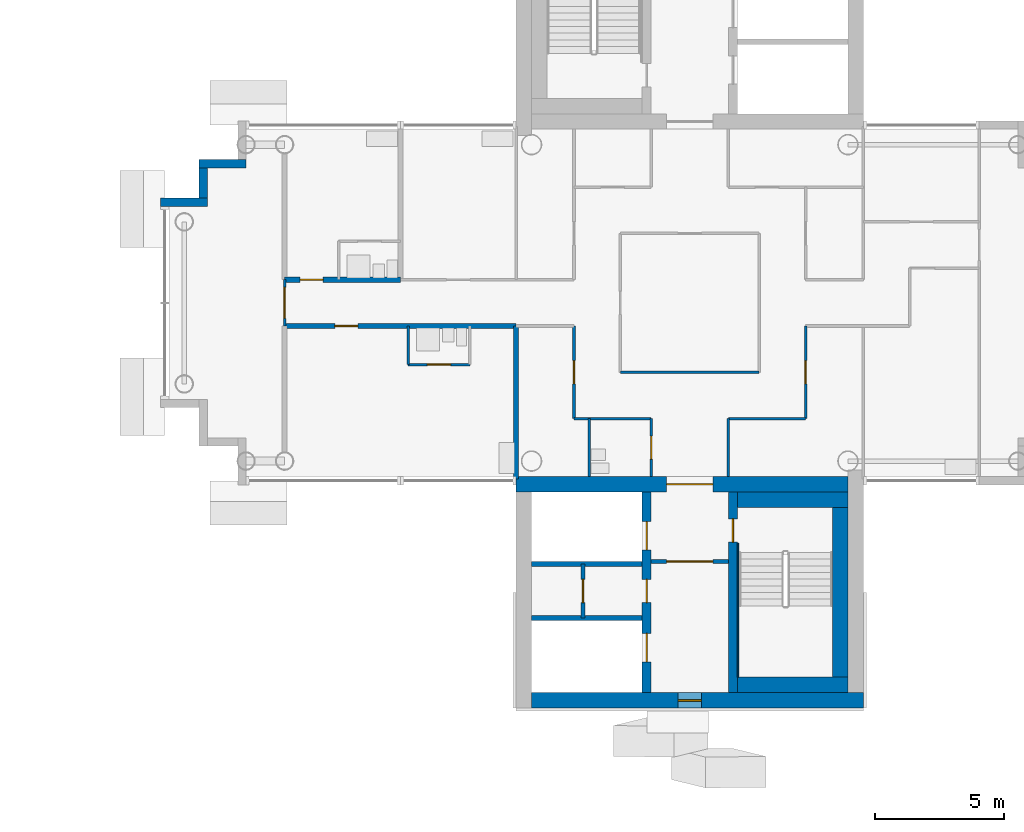
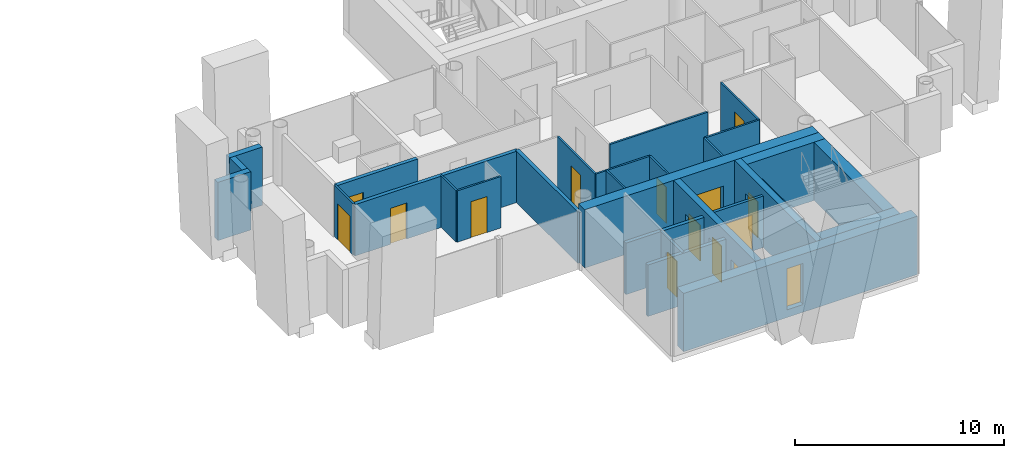
# One storey, part 9 of 18: 29 walls, 14 doors, 1 window, 15 openings.
"""IFC4 building model written with IfcOpenShell, lengths in metres."""

from ifc_helpers import new_model, si_unit, direction, frame, frame_2d, origin, place, context, subcontext, project, spatial, rectangle, extrude, material, layer, layer_set, type_object, element, fill, save


model = new_model("IFC4")

# Units and contexts
model_context = context("Model", 3, precision=1e-05, world=origin(), true_north=direction((0.0, 1.0)))
body_context = subcontext(model_context, "Body", "Model", "MODEL_VIEW")
ifc_project = project(units=[si_unit("LENGTHUNIT", "METRE"), si_unit("AREAUNIT", "SQUARE_METRE"), si_unit("VOLUMEUNIT", "CUBIC_METRE"), si_unit("PLANEANGLEUNIT", "RADIAN"), si_unit("MASSUNIT", "GRAM", prefix="KILO")], contexts=[model_context])

# Site, building, storey
site_placement = place(None, origin())
site = spatial("IfcSite", under=ifc_project, at=site_placement, CompositionType="ELEMENT")
building_placement = place(site_placement, origin())
building = spatial("IfcBuilding", under=site, at=building_placement, Name="Ipe Terrace Towers", CompositionType="ELEMENT")
storey_placement = place(building_placement, frame((0.0, 0.0, 209.60009765625)))
storey = spatial("IfcBuildingStorey", under=building, at=storey_placement, Name="L58", CompositionType="ELEMENT", Elevation=209.60009765625)

# Walls
ifc_material_1 = material(Name="Concrete C40/50 with buff precast cladding", Category="concrete")
ifc_layer_1 = layer(ifc_material_1, 0.320068359375)
ifc_layer_set_1 = layer_set([ifc_layer_1], Name="BUFF CLADDING WALL 320")
wall_type_1 = type_object("IfcWallType", Name="BUFF CLADDING WALL 320", PredefinedType="STANDARD", material=ifc_layer_set_1)
wall_1_placement = place(storey_placement, frame((18.75, 5.409912109375, -0.300048828125), z_axis=(0.0, 0.0, 1.0), x_axis=(-1.0, 0.0, 0.0)))
element("IfcWall", 1, at=wall_1_placement, inside=storey, type_object=wall_type_1, Name="T2-W-L58-23a wall", PredefinedType="STANDARD", context=body_context, shape_type="SweptSolid", body=[
    extrude(rectangle(XDim=1.820068359375, YDim=0.320068359375, at=frame_2d((0.91015625, 0.0))), origin(), (0.0, 0.0, 1.0), 3.39990234375),
])
wall_2_placement = place(storey_placement, frame((17.090087890625, 5.25, -0.300048828125), z_axis=(0.0, 0.0, 1.0), x_axis=(0.0, -1.0, 0.0)))
element("IfcWall", 2, at=wall_2_placement, inside=storey, type_object=wall_type_1, Name="T2-W-L58-24a wall", PredefinedType="STANDARD", context=body_context, shape_type="SweptSolid", body=[
    extrude(rectangle(XDim=1.179931640625, YDim=0.320068359375, at=frame_2d((0.58984375, 0.0))), origin(), (0.0, 0.0, 1.0), 3.39990234375),
])
wall_3_placement = place(storey_placement, frame((17.25, 3.909912109375, -0.300048828125), z_axis=(0.0, 0.0, 1.0), x_axis=(-1.0, 0.0, 0.0)))
element("IfcWall", 3, at=wall_3_placement, inside=storey, type_object=wall_type_1, Name="T2-W-L58-25a wall", PredefinedType="STANDARD", context=body_context, shape_type="SweptSolid", body=[
    extrude(rectangle(XDim=1.820068359375, YDim=0.320068359375, at=frame_2d((0.91015625, 0.0))), origin(), (0.0, 0.0, 1.0), 3.39990234375),
])
ifc_material_2 = material(Name="Gypsum board partition", Category="plasterboard")
ifc_layer_2 = layer(ifc_material_2, 0.10009765625)
ifc_layer_set_2 = layer_set([ifc_layer_2], Name="Gypsum board partition 100 mm")
wall_type_2 = type_object("IfcWallType", Name="Gypsum board partition 100 mm", PredefinedType="PARTITIONING", material=ifc_layer_set_2)
for number, where, z_axis, x_axis, name in (
    (4, (40.5, -4.5, 0.0), (0.0, 0.0, 1.0), (-1.0, 0.0, 0.0), "Gypsum board partition T2 L58 W01"),
    (5, (34.5, -4.5, 0.0), (0.0, 0.0, 1.0), (-1.0, 0.0, 0.0), "Gypsum board partition T2 L58 W02"),
):
    element("IfcWall", number, at=place(storey_placement, frame(where, z_axis=z_axis, x_axis=x_axis)), inside=storey, type_object=wall_type_2, Name=name, PredefinedType="PARTITIONING", context=body_context, shape_type="SweptSolid", body=[
        extrude(rectangle(XDim=3.0, YDim=0.10009765625, at=frame_2d((1.5, 0.0))), origin(), (0.0, 0.0, 1.0), 3.0),
    ])
wall_4_placement = place(storey_placement, frame((38.699951171875, -2.699951171875, 0.0), z_axis=(0.0, 0.0, 1.0), x_axis=(-1.0, 0.0, 0.0)))
element("IfcWall", 6, at=wall_4_placement, inside=storey, type_object=wall_type_2, Name="Gypsum board partition T2 L58 W03", PredefinedType="PARTITIONING", context=body_context, shape_type="SweptSolid", body=[
    extrude(rectangle(XDim=5.39990234375, YDim=0.10009765625, at=frame_2d((2.699951171875, 0.0))), origin(), (0.0, 0.0, 1.0), 3.0),
])

# Wall, opening, door
wall_5_placement = place(storey_placement, frame((27.449951171875, -2.39990234375, 0.0), z_axis=(0.0, 0.0, 1.0), x_axis=(-1.0, 0.0, 0.0)))
wall_5 = element("IfcWall", 7, at=wall_5_placement, inside=storey, type_object=wall_type_2, Name="Gypsum board partition T2 L58 W04", PredefinedType="PARTITIONING", context=body_context, shape_type="SweptSolid", body=[
    extrude(rectangle(XDim=2.39990234375, YDim=0.10009765625, at=frame_2d((1.199951171875, 0.0))), origin(), (0.0, 0.0, 1.0), 3.0),
])
opening_1_placement = place(wall_5_placement, frame((0.75, 0.0, 0.0)))
opening_1 = element("IfcOpeningElement", 8, at=opening_1_placement, cuts=wall_5, Name="Opening T2-Z4E-11", PredefinedType="OPENING", context=body_context, shape_type="SweptSolid", body=[
    extrude(rectangle(XDim=0.89990234375, YDim=2.10009765625, at=frame_2d((0.449951171875, 1.050048828125))), frame((0.0, 0.06005859375, 0.0), z_axis=(0.0, -1.0, 0.0), x_axis=(1.0, 0.0, 0.0)), (0.0, 0.0, 1.0), 0.1201171875),
])
ifc_material_3 = material(Name="Timber door leaf", Category="wood")
door_type_1 = type_object("IfcDoorType", Name="Bathroom door 900 x 2100", OperationType="NOTDEFINED", PredefinedType="DOOR", material=ifc_material_3)
door_1_placement = place(opening_1_placement, origin())
door_1 = element("IfcDoor", 9, at=door_1_placement, inside=storey, type_object=door_type_1, Name="Bathroom door T2-Z4E-11", OperationType="SINGLE_SWING_RIGHT", OverallHeight=2.10009765625, OverallWidth=0.89990234375, PredefinedType="DOOR", context=body_context, shape_type="SweptSolid", body=[
    extrude(rectangle(XDim=0.89990234375, YDim=2.10009765625, at=frame_2d((0.449951171875, 1.050048828125))), frame((0.0, 0.02490234375, 0.0), z_axis=(0.0, -1.0, 0.0), x_axis=(1.0, 0.0, 0.0)), (0.0, 0.0, 1.0), 0.050048828125),
])
fill(opening_1, door_1)

wall_6_placement = place(storey_placement, frame((40.5, -4.5, 0.0), z_axis=(0.0, 0.0, 1.0), x_axis=(0.0, 1.0, 0.0)))
wall_6 = element("IfcWall", 10, at=wall_6_placement, inside=storey, type_object=wall_type_2, Name="Gypsum board partition T2 L58 W21", PredefinedType="PARTITIONING", context=body_context, shape_type="SweptSolid", body=[
    extrude(rectangle(XDim=3.60009765625, YDim=0.10009765625, at=frame_2d((1.800048828125, 0.0))), origin(), (0.0, 0.0, 1.0), 3.0),
])
opening_2_placement = place(wall_6_placement, frame((1.35009765625, 0.0, 0.0)))
opening_2 = element("IfcOpeningElement", 11, at=opening_2_placement, cuts=wall_6, Name="Opening T2-Z4E-07", PredefinedType="OPENING", context=body_context, shape_type="SweptSolid", body=[
    extrude(rectangle(XDim=0.89990234375, YDim=2.10009765625, at=frame_2d((0.449951171875, 1.050048828125))), frame((0.0, 0.06005859375, 0.0), z_axis=(0.0, -1.0, 0.0), x_axis=(1.0, 0.0, 0.0)), (0.0, 0.0, 1.0), 0.1201171875),
])
ifc_material_4 = material(Name="Timber door leaf", Category="wood")
door_type_2 = type_object("IfcDoorType", Name="Lounge door 900 x 2100", OperationType="NOTDEFINED", PredefinedType="DOOR", material=ifc_material_4)
door_2_placement = place(opening_2_placement, origin())
door_2 = element("IfcDoor", 12, at=door_2_placement, inside=storey, type_object=door_type_2, Name="Lounge door T2-Z4E-07", OperationType="SINGLE_SWING_RIGHT", OverallHeight=2.10009765625, OverallWidth=0.89990234375, PredefinedType="DOOR", context=body_context, shape_type="SweptSolid", body=[
    extrude(rectangle(XDim=0.89990234375, YDim=2.10009765625, at=frame_2d((0.449951171875, 1.050048828125))), frame((0.0, 0.02490234375, 0.0), z_axis=(0.0, -1.0, 0.0), x_axis=(1.0, 0.0, 0.0)), (0.0, 0.0, 1.0), 0.050048828125),
])
fill(opening_2, door_2)

# Wall
wall_7_placement = place(storey_placement, frame((37.5, -6.75, 0.0), z_axis=(0.0, 0.0, 1.0), x_axis=(0.0, 1.0, 0.0)))
element("IfcWall", 13, at=wall_7_placement, inside=storey, type_object=wall_type_2, Name="Gypsum board partition T2 L58 W24", PredefinedType="PARTITIONING", context=body_context, shape_type="SweptSolid", body=[
    extrude(rectangle(XDim=2.25, YDim=0.10009765625, at=frame_2d((1.125, 0.0))), origin(), (0.0, 0.0, 1.0), 3.0),
])

# Wall, opening, door
wall_8_placement = place(storey_placement, frame((34.5, -6.75, 0.0), z_axis=(0.0, 0.0, 1.0), x_axis=(0.0, 1.0, 0.0)))
wall_8 = element("IfcWall", 14, at=wall_8_placement, inside=storey, type_object=wall_type_2, Name="Gypsum board partition T2 L58 W26", PredefinedType="PARTITIONING", context=body_context, shape_type="SweptSolid", body=[
    extrude(rectangle(XDim=2.25, YDim=0.10009765625, at=frame_2d((1.125, 0.0))), origin(), (0.0, 0.0, 1.0), 3.0),
])
opening_3_placement = place(wall_8_placement, frame((0.675048828125, 0.0, 0.0)))
opening_3 = element("IfcOpeningElement", 15, at=opening_3_placement, cuts=wall_8, Name="Opening T2-Z4E-03", PredefinedType="OPENING", context=body_context, shape_type="SweptSolid", body=[
    extrude(rectangle(XDim=0.89990234375, YDim=2.10009765625, at=frame_2d((0.449951171875, 1.050048828125))), frame((0.0, 0.06005859375, 0.0), z_axis=(0.0, -1.0, 0.0), x_axis=(1.0, 0.0, 0.0)), (0.0, 0.0, 1.0), 0.1201171875),
])
door_3_placement = place(opening_3_placement, origin())
door_3 = element("IfcDoor", 16, at=door_3_placement, inside=storey, type_object=door_type_1, Name="Bathroom door T2-Z4E-03", OperationType="SINGLE_SWING_LEFT", OverallHeight=2.10009765625, OverallWidth=0.89990234375, PredefinedType="DOOR", context=body_context, shape_type="SweptSolid", body=[
    extrude(rectangle(XDim=0.89990234375, YDim=2.10009765625, at=frame_2d((0.449951171875, 1.050048828125))), frame((0.0, 0.02490234375, 0.0), z_axis=(0.0, -1.0, 0.0), x_axis=(1.0, 0.0, 0.0)), (0.0, 0.0, 1.0), 0.050048828125),
])
fill(opening_3, door_3)

# Wall
wall_9_placement = place(storey_placement, frame((32.10009765625, -6.75, 0.0), z_axis=(0.0, 0.0, 1.0), x_axis=(0.0, 1.0, 0.0)))
element("IfcWall", 17, at=wall_9_placement, inside=storey, type_object=wall_type_2, Name="Gypsum board partition T2 L58 W29", PredefinedType="PARTITIONING", context=body_context, shape_type="SweptSolid", body=[
    extrude(rectangle(XDim=2.25, YDim=0.10009765625, at=frame_2d((1.125, 0.0))), origin(), (0.0, 0.0, 1.0), 3.0),
])

# Wall, opening, door
wall_10_placement = place(storey_placement, frame((31.5, -4.5, 0.0), z_axis=(0.0, 0.0, 1.0), x_axis=(0.0, 1.0, 0.0)))
wall_10 = element("IfcWall", 18, at=wall_10_placement, inside=storey, type_object=wall_type_2, Name="Gypsum board partition T2 L58 W30", PredefinedType="PARTITIONING", context=body_context, shape_type="SweptSolid", body=[
    extrude(rectangle(XDim=3.60009765625, YDim=0.10009765625, at=frame_2d((1.800048828125, 0.0))), origin(), (0.0, 0.0, 1.0), 3.0),
])
opening_4_placement = place(wall_10_placement, frame((1.35009765625, 0.0, 0.0)))
opening_4 = element("IfcOpeningElement", 19, at=opening_4_placement, cuts=wall_10, Name="Opening T2-Z4E-06", PredefinedType="OPENING", context=body_context, shape_type="SweptSolid", body=[
    extrude(rectangle(XDim=0.89990234375, YDim=2.10009765625, at=frame_2d((0.449951171875, 1.050048828125))), frame((0.0, 0.06005859375, 0.0), z_axis=(0.0, -1.0, 0.0), x_axis=(1.0, 0.0, 0.0)), (0.0, 0.0, 1.0), 0.1201171875),
])
door_4_placement = place(opening_4_placement, origin())
door_4 = element("IfcDoor", 20, at=door_4_placement, inside=storey, type_object=door_type_2, Name="Lounge door T2-Z4E-06", OperationType="SINGLE_SWING_RIGHT", OverallHeight=2.10009765625, OverallWidth=0.89990234375, PredefinedType="DOOR", context=body_context, shape_type="SweptSolid", body=[
    extrude(rectangle(XDim=0.89990234375, YDim=2.10009765625, at=frame_2d((0.449951171875, 1.050048828125))), frame((0.0, 0.02490234375, 0.0), z_axis=(0.0, -1.0, 0.0), x_axis=(1.0, 0.0, 0.0)), (0.0, 0.0, 1.0), 0.050048828125),
])
fill(opening_4, door_4)

# Wall
wall_11_placement = place(storey_placement, frame((25.050048828125, -2.39990234375, 0.0), z_axis=(0.0, 0.0, 1.0), x_axis=(0.0, 1.0, 0.0)))
element("IfcWall", 21, at=wall_11_placement, inside=storey, type_object=wall_type_2, Name="Gypsum board partition T2 L58 W35", PredefinedType="PARTITIONING", context=body_context, shape_type="SweptSolid", body=[
    extrude(rectangle(XDim=1.5, YDim=0.10009765625, at=frame_2d((0.75, 0.0))), origin(), (0.0, 0.0, 1.0), 3.0),
])

# Wall, opening, door
wall_12_placement = place(storey_placement, frame((20.25, -0.89990234375, 0.0), z_axis=(0.0, 0.0, 1.0), x_axis=(0.0, 1.0, 0.0)))
wall_12 = element("IfcWall", 22, at=wall_12_placement, inside=storey, type_object=wall_type_2, Name="Gypsum board partition T2 L58 W38", PredefinedType="PARTITIONING", context=body_context, shape_type="SweptSolid", body=[
    extrude(rectangle(XDim=1.7998046875, YDim=0.10009765625, at=frame_2d((0.89990234375, 0.0))), origin(), (0.0, 0.0, 1.0), 3.0),
])
opening_5_placement = place(wall_12_placement, frame((0.300048828125, 0.0, 0.0)))
opening_5 = element("IfcOpeningElement", 23, at=opening_5_placement, cuts=wall_12, Name="Opening T2-Z4E-15", PredefinedType="OPENING", context=body_context, shape_type="SweptSolid", body=[
    extrude(rectangle(XDim=1.199951171875, YDim=2.10009765625, at=frame_2d((0.60009765625, 1.050048828125))), frame((0.0, 0.06005859375, 0.0), z_axis=(0.0, -1.0, 0.0), x_axis=(1.0, 0.0, 0.0)), (0.0, 0.0, 1.0), 0.1201171875),
])
ifc_material_5 = material(Name="Timber door leaf", Category="wood")
door_type_3 = type_object("IfcDoorType", Name="Lounge door 1200 x 2100", OperationType="NOTDEFINED", PredefinedType="DOOR", material=ifc_material_5)
door_5_placement = place(opening_5_placement, origin())
door_5 = element("IfcDoor", 24, at=door_5_placement, inside=storey, type_object=door_type_3, Name="Lounge door T2-Z4E-15", OperationType="SINGLE_SWING_LEFT", OverallHeight=2.10009765625, OverallWidth=1.199951171875, PredefinedType="DOOR", context=body_context, shape_type="SweptSolid", body=[
    extrude(rectangle(XDim=1.199951171875, YDim=2.10009765625, at=frame_2d((0.60009765625, 1.050048828125))), frame((0.0, 0.02490234375, 0.0), z_axis=(0.0, -1.0, 0.0), x_axis=(1.0, 0.0, 0.0)), (0.0, 0.0, 1.0), 0.050048828125),
])
fill(opening_5, door_5)

ifc_material_6 = material(Name="Gypsum board partition", Category="plasterboard")
ifc_layer_3 = layer(ifc_material_6, 0.14990234375)
ifc_layer_set_3 = layer_set([ifc_layer_3], Name="Gypsum board partition 150 mm")
wall_type_3 = type_object("IfcWallType", Name="Gypsum board partition 150 mm", PredefinedType="PARTITIONING", material=ifc_layer_set_3)
wall_13_placement = place(storey_placement, frame((34.5, -10.050048828125, 0.0), z_axis=(0.0, 0.0, 1.0), x_axis=(1.0, 0.0, 0.0)))
wall_13 = element("IfcWall", 25, at=wall_13_placement, inside=storey, type_object=wall_type_3, Name="Gypsum board partition T2 L58 t2c2-lobby-wall", PredefinedType="PARTITIONING", context=body_context, shape_type="SweptSolid", body=[
    extrude(rectangle(XDim=3.0, YDim=0.14990234375, at=frame_2d((1.5, 0.0))), origin(), (0.0, 0.0, 1.0), 3.0),
])
opening_6_placement = place(wall_13_placement, frame((0.60009765625, 0.0, 0.0)))
opening_6 = element("IfcOpeningElement", 26, at=opening_6_placement, cuts=wall_13, Name="Opening T2C2-VD", PredefinedType="OPENING", context=body_context, shape_type="SweptSolid", body=[
    extrude(rectangle(XDim=1.800048828125, YDim=2.10009765625, at=frame_2d((0.89990234375, 1.050048828125))), frame((0.0, 0.0849609375, 0.0), z_axis=(0.0, -1.0, 0.0), x_axis=(1.0, 0.0, 0.0)), (0.0, 0.0, 1.0), 0.169921875),
])
ifc_material_7 = material(Name="Fire-rated timber door leaf", Category="wood")
door_type_4 = type_object("IfcDoorType", Name="Lobby door 1800 x 2100 FD60", OperationType="NOTDEFINED", PredefinedType="DOOR", material=ifc_material_7)
door_6_placement = place(opening_6_placement, origin())
door_6 = element("IfcDoor", 27, at=door_6_placement, inside=storey, type_object=door_type_4, Name="Lobby door T2C2-VD", OperationType="SINGLE_SWING_LEFT", OverallHeight=2.10009765625, OverallWidth=1.800048828125, PredefinedType="DOOR", context=body_context, shape_type="SweptSolid", body=[
    extrude(rectangle(XDim=1.800048828125, YDim=2.10009765625, at=frame_2d((0.89990234375, 1.050048828125))), frame((0.0, 0.02490234375, 0.0), z_axis=(0.0, -1.0, 0.0), x_axis=(1.0, 0.0, 0.0)), (0.0, 0.0, 1.0), 0.050048828125),
])
fill(opening_6, door_6)

wall_14_placement = place(storey_placement, frame((31.85009765625, -10.14990234375, 0.0), z_axis=(0.0, 0.0, 1.0), x_axis=(0.0, -1.0, 0.0)))
wall_14 = element("IfcWall", 28, at=wall_14_placement, inside=storey, type_object=wall_type_3, Name="Gypsum board partition T2 L58 t2c2-q-back", PredefinedType="PARTITIONING", context=body_context, shape_type="SweptSolid", body=[
    extrude(rectangle(XDim=2.10009765625, YDim=0.14990234375, at=frame_2d((1.050048828125, 0.0))), origin(), (0.0, 0.0, 1.0), 3.0),
])
opening_7_placement = place(wall_14_placement, frame((0.60009765625, 0.0, 0.0)))
opening_7 = element("IfcOpeningElement", 29, at=opening_7_placement, cuts=wall_14, Name="Opening T2C2-RB-FD30S", PredefinedType="OPENING", context=body_context, shape_type="SweptSolid", body=[
    extrude(rectangle(XDim=0.89990234375, YDim=2.10009765625, at=frame_2d((0.449951171875, 1.050048828125))), frame((0.0, 0.0849609375, 0.0), z_axis=(0.0, -1.0, 0.0), x_axis=(1.0, 0.0, 0.0)), (0.0, 0.0, 1.0), 0.169921875),
])
ifc_material_8 = material(Name="Fire-rated timber door leaf", Category="wood")
door_type_5 = type_object("IfcDoorType", Name="Service door 900 x 2100 FD30S", OperationType="NOTDEFINED", PredefinedType="DOOR", material=ifc_material_8)
door_7_placement = place(opening_7_placement, origin())
door_7 = element("IfcDoor", 30, at=door_7_placement, inside=storey, type_object=door_type_5, Name="Service door T2C2-RB-FD30S", OperationType="SINGLE_SWING_LEFT", OverallHeight=2.10009765625, OverallWidth=0.89990234375, PredefinedType="DOOR", context=body_context, shape_type="SweptSolid", body=[
    extrude(rectangle(XDim=0.89990234375, YDim=2.10009765625, at=frame_2d((0.449951171875, 1.050048828125))), frame((0.0, 0.02490234375, 0.0), z_axis=(0.0, -1.0, 0.0), x_axis=(1.0, 0.0, 0.0)), (0.0, 0.0, 1.0), 0.050048828125),
])
fill(opening_7, door_7)

# Walls
ifc_material_9 = material(Name="Gypsum board party wall", Category="plasterboard")
ifc_layer_4 = layer(ifc_material_9, 0.199951171875)
ifc_layer_set_4 = layer_set([ifc_layer_4], Name="Gypsum board party wall 200 mm")
wall_type_4 = type_object("IfcWallType", Name="Gypsum board party wall 200 mm", PredefinedType="SOLIDWALL", material=ifc_layer_set_4)
for number, where, z_axis, x_axis, name in (
    (31, (29.85009765625, -12.25, 0.0), (0.0, 0.0, 1.0), (1.0, 0.0, 0.0), "Gypsum board party wall T2 L58 t2c2-shaft-div2"),
    (32, (29.85009765625, -10.14990234375, 0.0), (0.0, 0.0, 1.0), (1.0, 0.0, 0.0), "Gypsum board party wall T2 L58 t2c2-shaft-div1"),
):
    element("IfcWall", number, at=place(storey_placement, frame(where, z_axis=z_axis, x_axis=x_axis)), inside=storey, type_object=wall_type_4, Name=name, PredefinedType="SOLIDWALL", context=body_context, shape_type="SweptSolid", body=[
        extrude(rectangle(XDim=4.2998046875, YDim=0.199951171875, at=frame_2d((2.14990234375, 0.0))), origin(), (0.0, 0.0, 1.0), 3.0),
    ])

# Wall, opening, door
wall_15_placement = place(storey_placement, frame((29.25, -0.89990234375, 0.0), z_axis=(0.0, 0.0, 1.0), x_axis=(-1.0, 0.0, 0.0)))
wall_15 = element("IfcWall", 33, at=wall_15_placement, inside=storey, type_object=wall_type_4, Name="Gypsum board party wall T2 L58 W07", PredefinedType="SOLIDWALL", context=body_context, shape_type="SweptSolid", body=[
    extrude(rectangle(XDim=9.0, YDim=0.199951171875, at=frame_2d((4.5, 0.0))), origin(), (0.0, 0.0, 1.0), 3.0),
])
opening_8_placement = place(wall_15_placement, frame((6.14990234375, 0.0, 0.0)))
opening_8 = element("IfcOpeningElement", 34, at=opening_8_placement, cuts=wall_15, Name="Opening T2-Z4E-10", PredefinedType="OPENING", context=body_context, shape_type="SweptSolid", body=[
    extrude(rectangle(XDim=0.89990234375, YDim=2.10009765625, at=frame_2d((0.449951171875, 1.050048828125))), frame((0.0, 0.10986328125, 0.0), z_axis=(0.0, -1.0, 0.0), x_axis=(1.0, 0.0, 0.0)), (0.0, 0.0, 1.0), 0.219970703125),
])
ifc_material_10 = material(Name="Fire-rated timber door leaf", Category="wood")
door_type_6 = type_object("IfcDoorType", Name="Flat entrance door 900 x 2100 FD30S", OperationType="NOTDEFINED", PredefinedType="DOOR", material=ifc_material_10)
door_8_placement = place(opening_8_placement, origin())
door_8 = element("IfcDoor", 35, at=door_8_placement, inside=storey, type_object=door_type_6, Name="Flat entrance door T2-Z4E-10", OperationType="SINGLE_SWING_LEFT", OverallHeight=2.10009765625, OverallWidth=0.89990234375, PredefinedType="DOOR", context=body_context, shape_type="SweptSolid", body=[
    extrude(rectangle(XDim=0.89990234375, YDim=2.10009765625, at=frame_2d((0.449951171875, 1.050048828125))), frame((0.0, 0.02490234375, 0.0), z_axis=(0.0, -1.0, 0.0), x_axis=(1.0, 0.0, 0.0)), (0.0, 0.0, 1.0), 0.050048828125),
])
fill(opening_8, door_8)

wall_16_placement = place(storey_placement, frame((24.75, 0.89990234375, 0.0), z_axis=(0.0, 0.0, 1.0), x_axis=(-1.0, 0.0, 0.0)))
wall_16 = element("IfcWall", 36, at=wall_16_placement, inside=storey, type_object=wall_type_4, Name="Gypsum board party wall T2 L58 W10", PredefinedType="SOLIDWALL", context=body_context, shape_type="SweptSolid", body=[
    extrude(rectangle(XDim=4.5, YDim=0.199951171875, at=frame_2d((2.25, 0.0))), origin(), (0.0, 0.0, 1.0), 3.0),
])
opening_9_placement = place(wall_16_placement, frame((3.0, 0.0, 0.0)))
opening_9 = element("IfcOpeningElement", 37, at=opening_9_placement, cuts=wall_16, Name="Opening T2-Z4E-13", PredefinedType="OPENING", context=body_context, shape_type="SweptSolid", body=[
    extrude(rectangle(XDim=0.89990234375, YDim=2.10009765625, at=frame_2d((0.449951171875, 1.050048828125))), frame((0.0, 0.10986328125, 0.0), z_axis=(0.0, -1.0, 0.0), x_axis=(1.0, 0.0, 0.0)), (0.0, 0.0, 1.0), 0.219970703125),
])
door_9_placement = place(opening_9_placement, origin())
door_9 = element("IfcDoor", 38, at=door_9_placement, inside=storey, type_object=door_type_6, Name="Flat entrance door T2-Z4E-13", OperationType="SINGLE_SWING_RIGHT", OverallHeight=2.10009765625, OverallWidth=0.89990234375, PredefinedType="DOOR", context=body_context, shape_type="SweptSolid", body=[
    extrude(rectangle(XDim=0.89990234375, YDim=2.10009765625, at=frame_2d((0.449951171875, 1.050048828125))), frame((0.0, 0.02490234375, 0.0), z_axis=(0.0, -1.0, 0.0), x_axis=(1.0, 0.0, 0.0)), (0.0, 0.0, 1.0), 0.050048828125),
])
fill(opening_9, door_9)

# Wall
wall_17_placement = place(storey_placement, frame((29.25, -6.85009765625, 0.0), z_axis=(0.0, 0.0, 1.0), x_axis=(0.0, 1.0, 0.0)))
element("IfcWall", 39, at=wall_17_placement, inside=storey, type_object=wall_type_4, Name="Gypsum board party wall T2 L58 W33", PredefinedType="SOLIDWALL", context=body_context, shape_type="SweptSolid", body=[
    extrude(rectangle(XDim=5.9501953125, YDim=0.199951171875, at=frame_2d((2.97509765625, 0.0))), origin(), (0.0, 0.0, 1.0), 3.0),
])

# Wall, openings, doors
ifc_material_11 = material(Name="Concrete C40/50", Category="concrete")
ifc_layer_5 = layer(ifc_material_11, 0.35009765625)
ifc_layer_set_5 = layer_set([ifc_layer_5], Name="RW350 CORE SPINE WALL 350 C40-50")
wall_type_5 = type_object("IfcWallType", Name="RW350 CORE SPINE WALL 350 C40-50", PredefinedType="SHEAR", material=ifc_layer_set_5)
wall_18_placement = place(storey_placement, frame((34.324951171875, -15.14990234375, 0.0), z_axis=(0.0, 0.0, 1.0), x_axis=(0.0, 1.0, 0.0)))
wall_18 = element("IfcWall", 40, at=wall_18_placement, inside=storey, type_object=wall_type_5, Name="Core spine wall T2-C2-Z4-SW1", PredefinedType="SHEAR", context=body_context, shape_type="SweptSolid", body=[
    extrude(rectangle(XDim=7.7998046875, YDim=0.35009765625, at=frame_2d((3.89990234375, 0.0))), origin(), (0.0, 0.0, 1.0), 3.39990234375),
])
opening_10_placement = place(wall_18_placement, frame((5.550048828125, 0.0, 0.0)))
opening_10 = element("IfcOpeningElement", 41, at=opening_10_placement, cuts=wall_18, Name="Opening T2C2-LD1", PredefinedType="OPENING", context=body_context, shape_type="SweptSolid", body=[
    extrude(rectangle(XDim=1.10009765625, YDim=2.10009765625, at=frame_2d((0.550048828125, 1.050048828125))), frame((0.0, 0.18505859375, 0.0), z_axis=(0.0, -1.0, 0.0), x_axis=(1.0, 0.0, 0.0)), (0.0, 0.0, 1.0), 0.3701171875),
])
opening_11_placement = place(wall_18_placement, frame((1.199951171875, 0.0, 0.0)))
opening_11 = element("IfcOpeningElement", 42, at=opening_11_placement, cuts=wall_18, Name="Opening T2C2-LD3", PredefinedType="OPENING", context=body_context, shape_type="SweptSolid", body=[
    extrude(rectangle(XDim=1.10009765625, YDim=2.10009765625, at=frame_2d((0.550048828125, 1.050048828125))), frame((0.0, 0.18505859375, 0.0), z_axis=(0.0, -1.0, 0.0), x_axis=(1.0, 0.0, 0.0)), (0.0, 0.0, 1.0), 0.3701171875),
])
opening_12_placement = place(wall_18_placement, frame((3.5, 0.0, 0.0)))
opening_12 = element("IfcOpeningElement", 43, at=opening_12_placement, cuts=wall_18, Name="Opening T2C2-R1", PredefinedType="OPENING", context=body_context, shape_type="SweptSolid", body=[
    extrude(rectangle(XDim=0.89990234375, YDim=2.10009765625, at=frame_2d((0.449951171875, 1.050048828125))), frame((0.0, 0.18505859375, 0.0), z_axis=(0.0, -1.0, 0.0), x_axis=(1.0, 0.0, 0.0)), (0.0, 0.0, 1.0), 0.3701171875),
])
ifc_material_12 = material(Name="Fire-rated timber door leaf", Category="wood")
door_type_7 = type_object("IfcDoorType", Name="Sliding door 1100 x 2100 FD60", OperationType="SLIDING_TO_LEFT", PredefinedType="DOOR", material=ifc_material_12)
door_10_placement = place(opening_10_placement, origin())
door_10 = element("IfcDoor", 44, at=door_10_placement, inside=storey, type_object=door_type_7, Name="Sliding door T2C2-LD1", OperationType="SLIDING_TO_LEFT", OverallHeight=2.10009765625, OverallWidth=1.10009765625, PredefinedType="DOOR", context=body_context, shape_type="SweptSolid", body=[
    extrude(rectangle(XDim=1.10009765625, YDim=2.10009765625, at=frame_2d((0.550048828125, 1.050048828125))), frame((0.0, 0.02490234375, 0.0), z_axis=(0.0, -1.0, 0.0), x_axis=(1.0, 0.0, 0.0)), (0.0, 0.0, 1.0), 0.050048828125),
])
fill(opening_10, door_10)
door_11_placement = place(opening_11_placement, origin())
door_11 = element("IfcDoor", 45, at=door_11_placement, inside=storey, type_object=door_type_7, Name="Sliding door T2C2-LD3", OperationType="SLIDING_TO_LEFT", OverallHeight=2.10009765625, OverallWidth=1.10009765625, PredefinedType="DOOR", context=body_context, shape_type="SweptSolid", body=[
    extrude(rectangle(XDim=1.10009765625, YDim=2.10009765625, at=frame_2d((0.550048828125, 1.050048828125))), frame((0.0, 0.02490234375, 0.0), z_axis=(0.0, -1.0, 0.0), x_axis=(1.0, 0.0, 0.0)), (0.0, 0.0, 1.0), 0.050048828125),
])
fill(opening_11, door_11)
ifc_material_13 = material(Name="Timber door leaf", Category="wood")
door_type_8 = type_object("IfcDoorType", Name="Store door 900 x 2100", OperationType="NOTDEFINED", PredefinedType="DOOR", material=ifc_material_13)
door_12_placement = place(opening_12_placement, origin())
door_12 = element("IfcDoor", 46, at=door_12_placement, inside=storey, type_object=door_type_8, Name="Store door T2C2-R1", OperationType="SINGLE_SWING_LEFT", OverallHeight=2.10009765625, OverallWidth=0.89990234375, PredefinedType="DOOR", context=body_context, shape_type="SweptSolid", body=[
    extrude(rectangle(XDim=0.89990234375, YDim=2.10009765625, at=frame_2d((0.449951171875, 1.050048828125))), frame((0.0, 0.02490234375, 0.0), z_axis=(0.0, -1.0, 0.0), x_axis=(1.0, 0.0, 0.0)), (0.0, 0.0, 1.0), 0.050048828125),
])
fill(opening_12, door_12)

# Wall, opening, door
wall_19_placement = place(storey_placement, frame((37.675048828125, -15.14990234375, 0.0), z_axis=(0.0, 0.0, 1.0), x_axis=(0.0, 1.0, 0.0)))
wall_19 = element("IfcWall", 47, at=wall_19_placement, inside=storey, type_object=wall_type_5, Name="Core spine wall T2-C2-Z4-SW2", PredefinedType="SHEAR", context=body_context, shape_type="SweptSolid", body=[
    extrude(rectangle(XDim=7.7998046875, YDim=0.35009765625, at=frame_2d((3.89990234375, 0.0))), origin(), (0.0, 0.0, 1.0), 3.39990234375),
])
opening_13_placement = place(wall_19_placement, frame((5.85009765625, 0.0, 0.0)))
opening_13 = element("IfcOpeningElement", 48, at=opening_13_placement, cuts=wall_19, Name="Opening T2C2-SD", PredefinedType="OPENING", context=body_context, shape_type="SweptSolid", body=[
    extrude(rectangle(XDim=0.89990234375, YDim=2.10009765625, at=frame_2d((0.449951171875, 1.050048828125))), frame((0.0, 0.18505859375, 0.0), z_axis=(0.0, -1.0, 0.0), x_axis=(1.0, 0.0, 0.0)), (0.0, 0.0, 1.0), 0.3701171875),
])
ifc_material_14 = material(Name="Fire-rated timber door leaf", Category="wood")
door_type_9 = type_object("IfcDoorType", Name="Stair door 900 x 2100 FD60", OperationType="NOTDEFINED", PredefinedType="DOOR", material=ifc_material_14)
door_13_placement = place(opening_13_placement, origin())
door_13 = element("IfcDoor", 49, at=door_13_placement, inside=storey, type_object=door_type_9, Name="Stair door T2C2-SD", OperationType="SINGLE_SWING_RIGHT", OverallHeight=2.10009765625, OverallWidth=0.89990234375, PredefinedType="DOOR", context=body_context, shape_type="SweptSolid", body=[
    extrude(rectangle(XDim=0.89990234375, YDim=2.10009765625, at=frame_2d((0.449951171875, 1.050048828125))), frame((0.0, 0.02490234375, 0.0), z_axis=(0.0, -1.0, 0.0), x_axis=(1.0, 0.0, 0.0)), (0.0, 0.0, 1.0), 0.050048828125),
])
fill(opening_13, door_13)

# Walls
ifc_material_15 = material(Name="Concrete C40/50", Category="concrete")
ifc_layer_6 = layer(ifc_material_15, 0.050048828125)
ifc_layer_set_6 = layer_set([ifc_layer_6], Name="RW50 CORE INFILL WALL 50 C40-50")
wall_type_6 = type_object("IfcWallType", Name="RW50 CORE INFILL WALL 50 C40-50", PredefinedType="SHEAR", material=ifc_layer_set_6)
wall_20_placement = place(storey_placement, frame((37.875, -9.35009765625, 0.0), z_axis=(0.0, 0.0, 1.0), x_axis=(0.0, -1.0, 0.0)))
element("IfcWall", 50, at=wall_20_placement, inside=storey, type_object=wall_type_6, Name="Core infill wall T2-C2-spine-b", PredefinedType="SHEAR", context=body_context, shape_type="SweptSolid", body=[
    extrude(rectangle(XDim=5.199951171875, YDim=0.050048828125, at=frame_2d((2.60009765625, 0.0))), origin(), (0.0, 0.0, 1.0), 3.39990234375),
])
ifc_material_16 = material(Name="Concrete C40/50", Category="concrete")
ifc_layer_7 = layer(ifc_material_16, 0.60009765625)
ifc_layer_set_7 = layer_set([ifc_layer_7], Name="RW600 CORE INFILL WALL 600 C40-50")
wall_type_7 = type_object("IfcWallType", Name="RW600 CORE INFILL WALL 600 C40-50", PredefinedType="SHEAR", material=ifc_layer_set_7)
wall_21_placement = place(storey_placement, frame((37.85009765625, -14.85009765625, 0.0), z_axis=(0.0, 0.0, 1.0), x_axis=(1.0, 0.0, 0.0)))
element("IfcWall", 51, at=wall_21_placement, inside=storey, type_object=wall_type_7, Name="Core infill wall T2-C2-far", PredefinedType="SHEAR", context=body_context, shape_type="SweptSolid", body=[
    extrude(rectangle(XDim=4.2998046875, YDim=0.60009765625, at=frame_2d((2.14990234375, 0.0))), origin(), (0.0, 0.0, 1.0), 3.39990234375),
])
wall_22_placement = place(storey_placement, frame((41.85009765625, -7.949951171875, 0.0), z_axis=(0.0, 0.0, 1.0), x_axis=(0.0, -1.0, 0.0)))
element("IfcWall", 52, at=wall_22_placement, inside=storey, type_object=wall_type_7, Name="Core infill wall T2-C2-back", PredefinedType="SHEAR", context=body_context, shape_type="SweptSolid", body=[
    extrude(rectangle(XDim=6.60009765625, YDim=0.60009765625, at=frame_2d((3.300048828125, 0.0))), origin(), (0.0, 0.0, 1.0), 3.39990234375),
])
wall_23_placement = place(storey_placement, frame((37.85009765625, -7.64990234375, 0.0), z_axis=(0.0, 0.0, 1.0), x_axis=(1.0, 0.0, 0.0)))
element("IfcWall", 53, at=wall_23_placement, inside=storey, type_object=wall_type_7, Name="Core infill wall T2-C2-near", PredefinedType="SHEAR", context=body_context, shape_type="SweptSolid", body=[
    extrude(rectangle(XDim=4.2998046875, YDim=0.60009765625, at=frame_2d((2.14990234375, 0.0))), origin(), (0.0, 0.0, 1.0), 3.39990234375),
])

# Wall, opening, window
ifc_material_17 = material(Name="Concrete C40/50", Category="concrete")
ifc_layer_8 = layer(ifc_material_17, 0.60009765625)
ifc_layer_set_8 = layer_set([ifc_layer_8], Name="RW600 CORE WALL 600 C40-50")
wall_type_8 = type_object("IfcWallType", Name="RW600 CORE WALL 600 C40-50", PredefinedType="SHEAR", material=ifc_layer_set_8)
wall_24_placement = place(storey_placement, frame((29.85009765625, -15.449951171875, 0.0), z_axis=(0.0, 0.0, 1.0), x_axis=(1.0, 0.0, 0.0)))
wall_24 = element("IfcWall", 54, at=wall_24_placement, inside=storey, type_object=wall_type_8, Name="Core wall T2-C2-Z4-W01", PredefinedType="SHEAR", context=body_context, shape_type="SweptSolid", body=[
    extrude(rectangle(XDim=12.89990234375, YDim=0.60009765625, at=frame_2d((6.449951171875, 0.0))), origin(), (0.0, 0.0, 1.0), 3.39990234375),
])
opening_14_placement = place(wall_24_placement, frame((5.699951171875, 0.0, 0.449951171875)))
opening_14 = element("IfcOpeningElement", 55, at=opening_14_placement, cuts=wall_24, Name="Opening T2-C2-W-01-L58", PredefinedType="OPENING", context=body_context, shape_type="SweptSolid", body=[
    extrude(rectangle(XDim=0.89990234375, YDim=2.39990234375, at=frame_2d((0.449951171875, 1.199951171875))), frame((0.0, 0.31005859375, 0.0), z_axis=(0.0, -1.0, 0.0), x_axis=(1.0, 0.0, 0.0)), (0.0, 0.0, 1.0), 0.6201171875),
])
ifc_material_18 = material(Name="Fire-resistant glazing EI 60", Category="glass")
window_type = type_object("IfcWindowType", Name="CORRIDOR END SLOT WINDOW 900 x 2400 EI 60", PartitioningType="SINGLE_PANEL", PredefinedType="WINDOW", material=ifc_material_18)
window_placement = place(opening_14_placement, origin())
window = element("IfcWindow", 56, at=window_placement, inside=storey, type_object=window_type, Name="W-01 window", OverallHeight=2.39990234375, OverallWidth=0.89990234375, PartitioningType="SINGLE_PANEL", PredefinedType="WINDOW", context=body_context, shape_type="SweptSolid", body=[
    extrude(rectangle(XDim=0.89990234375, YDim=2.39990234375, at=frame_2d((0.449951171875, 1.199951171875))), frame((0.0, 0.030029296875, 0.0), z_axis=(0.0, -1.0, 0.0), x_axis=(1.0, 0.0, 0.0)), (0.0, 0.0, 1.0), 0.06005859375),
])
fill(opening_14, window)

# Wall, opening, door
wall_25_placement = place(storey_placement, frame((42.14990234375, -7.050048828125, 0.0), z_axis=(0.0, 0.0, 1.0), x_axis=(-1.0, 0.0, 0.0)))
wall_25 = element("IfcWall", 57, at=wall_25_placement, inside=storey, type_object=wall_type_8, Name="Core wall T2-C2-Z4-W03", PredefinedType="SHEAR", context=body_context, shape_type="SweptSolid", body=[
    extrude(rectangle(XDim=12.89990234375, YDim=0.60009765625, at=frame_2d((6.449951171875, 0.0))), origin(), (0.0, 0.0, 1.0), 3.39990234375),
])
opening_15_placement = place(wall_25_placement, frame((5.25, 0.0, 0.0)))
opening_15 = element("IfcOpeningElement", 58, at=opening_15_placement, cuts=wall_25, Name="Opening T2C2-ND", PredefinedType="OPENING", context=body_context, shape_type="SweptSolid", body=[
    extrude(rectangle(XDim=1.800048828125, YDim=2.10009765625, at=frame_2d((0.89990234375, 1.050048828125))), frame((0.0, 0.31005859375, 0.0), z_axis=(0.0, -1.0, 0.0), x_axis=(1.0, 0.0, 0.0)), (0.0, 0.0, 1.0), 0.6201171875),
])
ifc_material_19 = material(Name="Fire-rated timber door leaf", Category="wood")
door_type_10 = type_object("IfcDoorType", Name="Fire door 1800 x 2100 FD30S", OperationType="NOTDEFINED", PredefinedType="DOOR", material=ifc_material_19)
door_14_placement = place(opening_15_placement, origin())
door_14 = element("IfcDoor", 59, at=door_14_placement, inside=storey, type_object=door_type_10, Name="Fire door T2C2-ND", OperationType="SINGLE_SWING_LEFT", OverallHeight=2.10009765625, OverallWidth=1.800048828125, PredefinedType="DOOR", context=body_context, shape_type="SweptSolid", body=[
    extrude(rectangle(XDim=1.800048828125, YDim=2.10009765625, at=frame_2d((0.89990234375, 1.050048828125))), frame((0.0, 0.02490234375, 0.0), z_axis=(0.0, -1.0, 0.0), x_axis=(1.0, 0.0, 0.0)), (0.0, 0.0, 1.0), 0.050048828125),
])
fill(opening_15, door_14)

save(model, "model.ifc")
